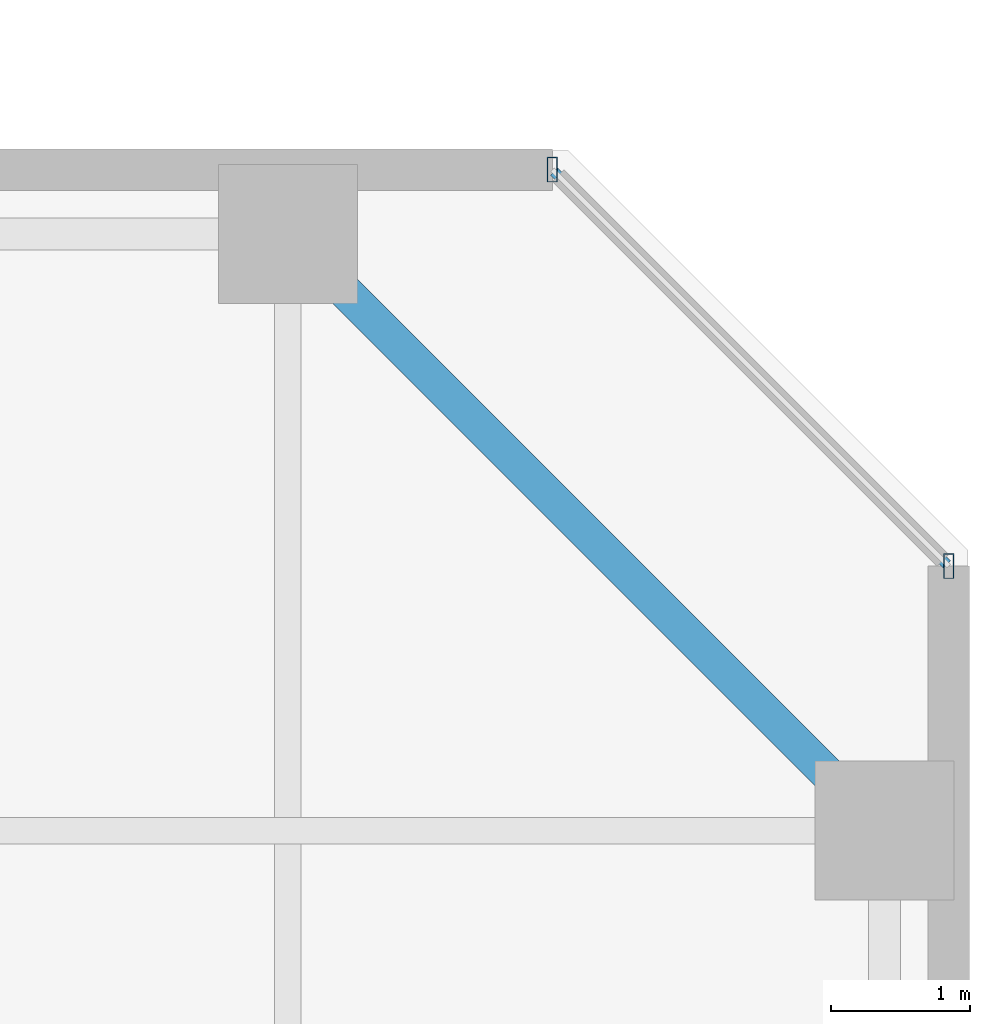
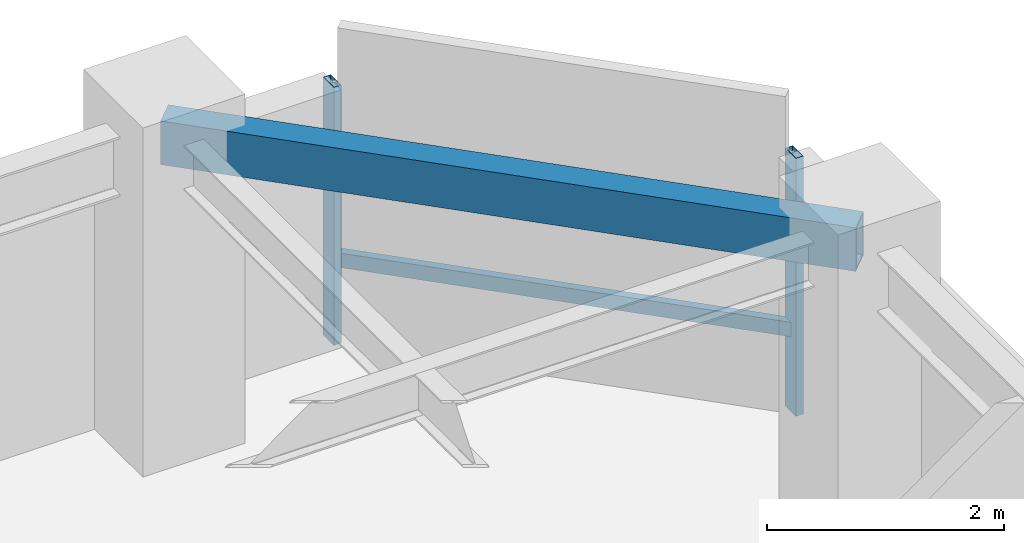
# One storey, part 17 of 33: 3 members, 1 beam, 1 element without a shape of its own.
"""IFC4 building model written with IfcOpenShell, lengths in metres."""

from ifc_helpers import new_model, si_unit, direction, frame, origin, origin_2d, place, context, subcontext, project, spatial, hollow_rectangle, extrude, material, material_profile, profile_set, type_object, element, aggregate, save


model = new_model("IFC4")

# Units and contexts
model_context = context("Model", 3, precision=1e-05, world=origin(), true_north=direction((0.0, 1.0)))
body_context = subcontext(model_context, "Body", "Model", "MODEL_VIEW")
ifc_project = project(units=[si_unit("LENGTHUNIT", "METRE"), si_unit("AREAUNIT", "SQUARE_METRE"), si_unit("VOLUMEUNIT", "CUBIC_METRE"), si_unit("PLANEANGLEUNIT", "RADIAN"), si_unit("MASSUNIT", "GRAM", prefix="KILO")], contexts=[model_context])

# Site, building, storey
site_placement = place(None, origin())
site = spatial("IfcSite", under=ifc_project, at=site_placement, CompositionType="ELEMENT")
building_placement = place(site_placement, origin())
building = spatial("IfcBuilding", under=site, at=building_placement, Name="Thornwick Lancets Civic Towers", CompositionType="ELEMENT")
storey_placement = place(building_placement, frame((0.0, 0.0, 218.10009765625)))
storey = spatial("IfcBuildingStorey", under=building, at=storey_placement, Name="L58", CompositionType="ELEMENT", Elevation=218.10009765625)

# Beam
ifc_material_1 = material(Name="Steel S355JR", Category="steel")
ifc_material_profile_1 = material_profile(ifc_material_1, hollow_rectangle(XDim=0.25, YDim=0.449951171875, WallThickness=0.01611328125, at=origin_2d()), Name="RHS 450x250x16")
ifc_profile_set_1 = profile_set([ifc_material_profile_1], Name="Steel S355JR")
beam_type = type_object("IfcBeamType", Name="BM_RING_RHS450", PredefinedType="BEAM", material=ifc_profile_set_1)
beam_placement = place(storey_placement, frame((105.800048828125, 40.0, 3.054931640625), z_axis=(-0.707106781187, 0.707106781187, 0.0), x_axis=(-0.707106781187, -0.707106781187, 0.0)))
element("IfcBeam", 1, at=beam_placement, inside=storey, type_object=beam_type, Name="BM-CHAMF-L58-B-C0", PredefinedType="BEAM", context=body_context, shape_type="SweptSolid", body=[
    extrude(hollow_rectangle(XDim=0.25, YDim=0.449951171875, WallThickness=0.01611328125, at=origin_2d()), origin(), (0.0, 0.0, 1.0), 6.081298828125),
])

# Curtain wall, members
ifc_material_2 = material(Name="High-zone chamfered-corner unitised glass curtain wall", Category="glass")
curtain_wall_type = type_object("IfcCurtainWallType", Name="CW_SYS_05", PredefinedType="NOTDEFINED", material=ifc_material_2)
curtain_wall_placement = place(storey_placement, origin())
curtain_wall = element("IfcCurtainWall", 2, at=curtain_wall_placement, inside=storey, type_object=curtain_wall_type, Name="L58 Curtain Wall CW-L58-B-E3", PredefinedType="NOTDEFINED")
ifc_material_3 = material(Name="Thermally broken bronze aluminium S355", Category="steel")
ifc_material_profile_2 = material_profile(ifc_material_3, hollow_rectangle(XDim=0.074951171875, YDim=0.179931640625, WallThickness=0.006103515625, at=origin_2d()), Name="RHS 180x75x6")
ifc_profile_set_2 = profile_set([ifc_material_profile_2], Name="Thermally broken bronze aluminium S355")
member_type_1 = type_object("IfcMemberType", Name="CW_MUL_180", PredefinedType="MULLION", material=ifc_profile_set_2)
member_1_placement = place(storey_placement, frame((106.263671875, 41.905517578125, 0.0), z_axis=(0.0, 0.0, 1.0), x_axis=(1.0, 0.0, 0.0)))
member_1 = element("IfcMember", 3, at=member_1_placement, type_object=member_type_1, Name="CW-L58-B-E3 Mullion 0", PredefinedType="MULLION", context=body_context, shape_type="SweptSolid", body=[
    extrude(hollow_rectangle(XDim=0.074951171875, YDim=0.179931640625, WallThickness=0.006103515625, at=origin_2d()), origin(), (0.0, 0.0, 1.0), 2.659912109375),
])
member_2_placement = place(storey_placement, frame((103.405517578125, 44.763671875, 0.0), z_axis=(0.0, 0.0, 1.0), x_axis=(1.0, 0.0, 0.0)))
member_2 = element("IfcMember", 4, at=member_2_placement, type_object=member_type_1, Name="CW-L58-B-E3 Mullion 1", PredefinedType="MULLION", context=body_context, shape_type="SweptSolid", body=[
    extrude(hollow_rectangle(XDim=0.074951171875, YDim=0.179931640625, WallThickness=0.006103515625, at=origin_2d()), origin(), (0.0, 0.0, 1.0), 2.659912109375),
])
ifc_material_profile_3 = material_profile(ifc_material_3, hollow_rectangle(XDim=0.074951171875, YDim=0.14990234375, WallThickness=0.0048828125, at=origin_2d()), Name="RHS 150x75x5")
ifc_profile_set_3 = profile_set([ifc_material_profile_3], Name="Thermally broken bronze aluminium S355")
member_type_2 = type_object("IfcMemberType", Name="CW_TRN_150", PredefinedType="USERDEFINED", material=ifc_profile_set_3)
member_3_placement = place(storey_placement, frame((106.24951171875, 41.91943359375, 0.849853515625), z_axis=(-0.707106781187, 0.707106781187, 0.0), x_axis=(-0.707106781187, -0.707106781187, 0.0)))
member_3 = element("IfcMember", 5, at=member_3_placement, type_object=member_type_2, Name="CW-L58-B-E3 Transom 0", ObjectType="TRANSOM", PredefinedType="USERDEFINED", context=body_context, shape_type="SweptSolid", body=[
    extrude(hollow_rectangle(XDim=0.074951171875, YDim=0.14990234375, WallThickness=0.0048828125, at=origin_2d()), origin(), (0.0, 0.0, 1.0), 4.00244140625),
])
aggregate(curtain_wall, [member_1, member_2, member_3])

save(model, "model.ifc")
